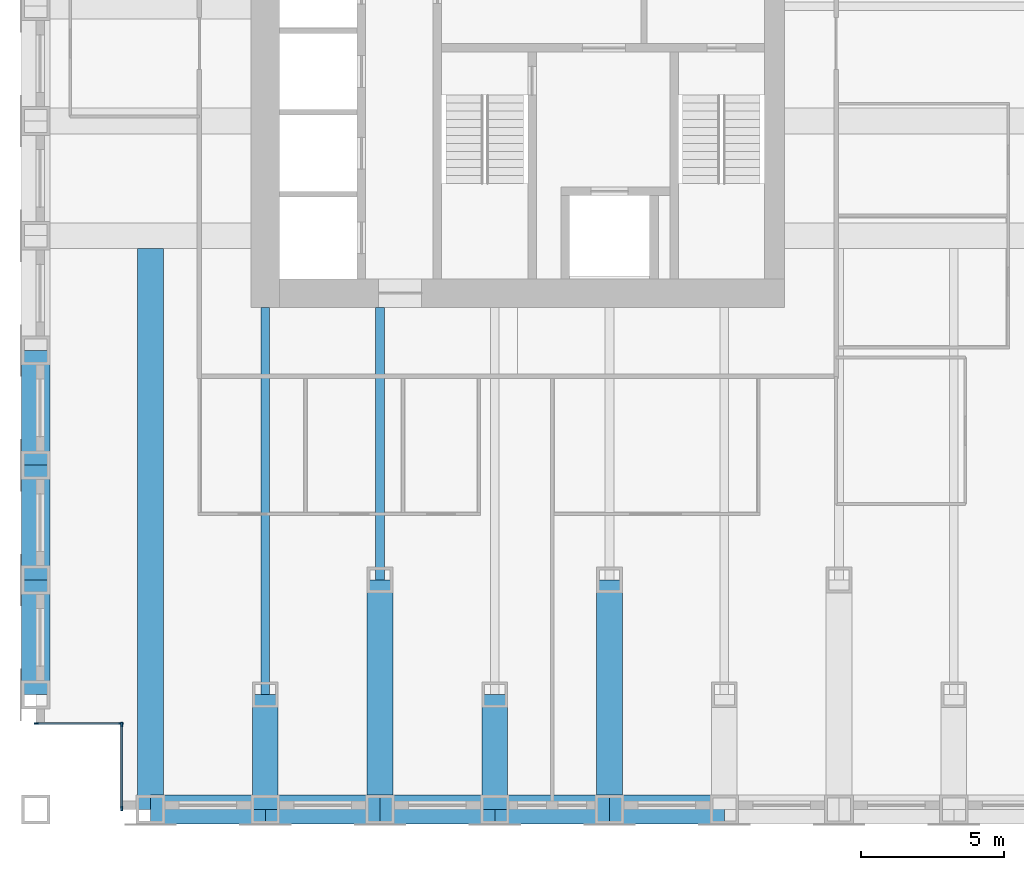
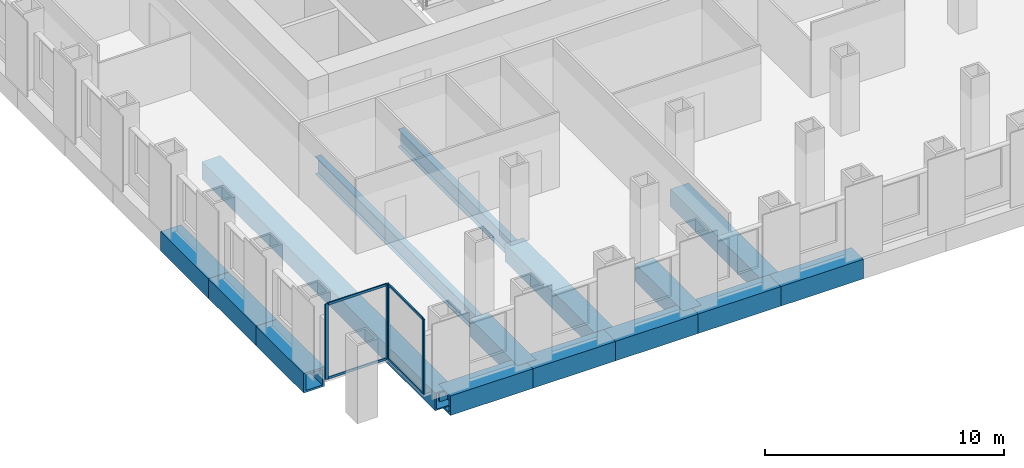
# One storey, part 2 of 16: 15 beams, 8 members, 2 elements without a shape of their own.
"""IFC4 building model written with IfcOpenShell, lengths in metres."""

from ifc_helpers import new_model, si_unit, direction, frame, origin, origin_2d, place, context, subcontext, project, spatial, rectangle, hollow_rectangle, i_section, extrude, material, material_profile, profile_set, type_object, element, aggregate, save


model = new_model("IFC4")

# Units and contexts
model_context = context("Model", 3, precision=1e-05, world=origin(), true_north=direction((0.0, 1.0)))
body_context = subcontext(model_context, "Body", "Model", "MODEL_VIEW")
ifc_project = project(units=[si_unit("LENGTHUNIT", "METRE"), si_unit("AREAUNIT", "SQUARE_METRE"), si_unit("VOLUMEUNIT", "CUBIC_METRE"), si_unit("PLANEANGLEUNIT", "RADIAN"), si_unit("MASSUNIT", "GRAM", prefix="KILO")], contexts=[model_context])

# Site, building, storey
site_placement = place(None, origin())
site = spatial("IfcSite", under=ifc_project, at=site_placement, CompositionType="ELEMENT")
building_placement = place(site_placement, origin())
building = spatial("IfcBuilding", under=site, at=building_placement, Name="Rimbunsela Tower", CompositionType="ELEMENT")
storey_placement = place(building_placement, frame((0.0, 0.0, 81.39990234375)))
storey = spatial("IfcBuildingStorey", under=building, at=storey_placement, Name="L19", CompositionType="ELEMENT", Elevation=81.39990234375)

# Beams
ifc_material_1 = material(Name="Steel BJ 55 (fy 410 MPa)", Category="steel")
ifc_material_profile_1 = material_profile(ifc_material_1, hollow_rectangle(XDim=1.0, YDim=1.0, WallThickness=0.10009765625, at=origin_2d()), Name="BOX 1000x1000x100")
ifc_profile_set_1 = profile_set([ifc_material_profile_1], Name="Steel BJ 55 (fy 410 MPa)")
beam_type_1 = type_object("IfcBeamType", Name="Beam BOX 1000x1000x100", PredefinedType="BEAM", material=ifc_profile_set_1)
for number, where, z_axis, x_axis, name in (
    (1, (10.0, 4.0, -0.64990234375), (0.0, 1.0, 0.0), (-1.0, 0.0, 0.0), "Beam B3 L19"),
    (2, (10.0, 8.0, -0.64990234375), (0.0, 1.0, 0.0), (-1.0, 0.0, 0.0), "Beam B3 L19"),
    (3, (10.0, 12.0, -0.64990234375), (0.0, 1.0, 0.0), (-1.0, 0.0, 0.0), "Beam B3 L19"),
    (4, (14.0, 0.0, -0.64990234375), (1.0, 0.0, 0.0), (0.0, 1.0, 0.0), "Beam B3 L19"),
    (5, (18.0, 0.0, -0.64990234375), (1.0, 0.0, 0.0), (0.0, 1.0, 0.0), "Beam B3 L19"),
    (6, (22.0, 0.0, -0.64990234375), (1.0, 0.0, 0.0), (0.0, 1.0, 0.0), "Beam B3 L19"),
    (7, (26.0, 0.0, -0.64990234375), (1.0, 0.0, 0.0), (0.0, 1.0, 0.0), "Beam B3 L19"),
    (8, (30.0, 0.0, -0.64990234375), (1.0, 0.0, 0.0), (0.0, 1.0, 0.0), "Beam B3 L19"),
):
    element("IfcBeam", number, at=place(storey_placement, frame(where, z_axis=z_axis, x_axis=x_axis)), inside=storey, type_object=beam_type_1, Name=name, PredefinedType="BEAM", context=body_context, shape_type="SweptSolid", body=[
        extrude(hollow_rectangle(XDim=1.0, YDim=1.0, WallThickness=0.10009765625, at=origin_2d()), origin(), (0.0, 0.0, 1.0), 4.0),
    ])
ifc_material_2 = material(Name="Steel BJ 55 (fy 410 MPa)", Category="steel")
ifc_material_profile_2 = material_profile(ifc_material_2, hollow_rectangle(XDim=0.89990234375, YDim=0.89990234375, WallThickness=0.06005859375, at=origin_2d()), Name="BOX 900x900x60")
ifc_profile_set_2 = profile_set([ifc_material_profile_2], Name="Steel BJ 55 (fy 410 MPa)")
beam_type_2 = type_object("IfcBeamType", Name="Beam BOX 900x900x60", PredefinedType="BEAM", material=ifc_profile_set_2)
beam_1_placement = place(storey_placement, frame((14.0, 0.0, -0.599853515625), z_axis=(0.0, 1.0, 0.0), x_axis=(-1.0, 0.0, 0.0)))
element("IfcBeam", 9, at=beam_1_placement, inside=storey, type_object=beam_type_2, Name="Beam B1 L19", PredefinedType="BEAM", context=body_context, shape_type="SweptSolid", body=[
    extrude(hollow_rectangle(XDim=0.89990234375, YDim=0.89990234375, WallThickness=0.06005859375, at=origin_2d()), origin(), (0.0, 0.0, 1.0), 19.550048828125),
])
beam_2_placement = place(storey_placement, frame((18.0, 0.0, -0.599853515625), z_axis=(0.0, 1.0, 0.0), x_axis=(-1.0, 0.0, 0.0)))
element("IfcBeam", 10, at=beam_2_placement, inside=storey, type_object=beam_type_2, Name="Beam B1 L19", PredefinedType="BEAM", context=body_context, shape_type="SweptSolid", body=[
    extrude(hollow_rectangle(XDim=0.89990234375, YDim=0.89990234375, WallThickness=0.06005859375, at=origin_2d()), origin(), (0.0, 0.0, 1.0), 4.0),
])
beam_3_placement = place(storey_placement, frame((22.0, 0.0, -0.599853515625), z_axis=(0.0, 1.0, 0.0), x_axis=(-1.0, 0.0, 0.0)))
element("IfcBeam", 11, at=beam_3_placement, inside=storey, type_object=beam_type_2, Name="Beam B1 L19", PredefinedType="BEAM", context=body_context, shape_type="SweptSolid", body=[
    extrude(hollow_rectangle(XDim=0.89990234375, YDim=0.89990234375, WallThickness=0.06005859375, at=origin_2d()), origin(), (0.0, 0.0, 1.0), 8.0),
])
beam_4_placement = place(storey_placement, frame((26.0, 0.0, -0.599853515625), z_axis=(0.0, 1.0, 0.0), x_axis=(-1.0, 0.0, 0.0)))
element("IfcBeam", 12, at=beam_4_placement, inside=storey, type_object=beam_type_2, Name="Beam B1 L19", PredefinedType="BEAM", context=body_context, shape_type="SweptSolid", body=[
    extrude(hollow_rectangle(XDim=0.89990234375, YDim=0.89990234375, WallThickness=0.06005859375, at=origin_2d()), origin(), (0.0, 0.0, 1.0), 4.0),
])
beam_5_placement = place(storey_placement, frame((30.0, 0.0, -0.599853515625), z_axis=(0.0, 1.0, 0.0), x_axis=(-1.0, 0.0, 0.0)))
element("IfcBeam", 13, at=beam_5_placement, inside=storey, type_object=beam_type_2, Name="Beam B1 L19", PredefinedType="BEAM", context=body_context, shape_type="SweptSolid", body=[
    extrude(hollow_rectangle(XDim=0.89990234375, YDim=0.89990234375, WallThickness=0.06005859375, at=origin_2d()), origin(), (0.0, 0.0, 1.0), 8.0),
])
ifc_material_3 = material(Name="Steel BJ 55 (fy 410 MPa)", Category="steel")
ifc_material_profile_3 = material_profile(ifc_material_3, i_section(OverallWidth=0.300048828125, OverallDepth=0.89990234375, WebThickness=0.01611328125, FlangeThickness=0.028076171875, FilletRadius=0.028076171875, at=origin_2d()), Name="H 900x300x16x28")
ifc_profile_set_3 = profile_set([ifc_material_profile_3], Name="Steel BJ 55 (fy 410 MPa)")
beam_type_3 = type_object("IfcBeamType", Name="Beam H 900x300x16x28", PredefinedType="BEAM", material=ifc_profile_set_3)
beam_6_placement = place(storey_placement, frame((18.0, 4.0, -0.599853515625), z_axis=(0.0, 1.0, 0.0), x_axis=(-1.0, 0.0, 0.0)))
element("IfcBeam", 14, at=beam_6_placement, inside=storey, type_object=beam_type_3, Name="Beam B2 L19", PredefinedType="BEAM", context=body_context, shape_type="SweptSolid", body=[
    extrude(i_section(OverallWidth=0.300048828125, OverallDepth=0.89990234375, WebThickness=0.01611328125, FlangeThickness=0.028076171875, FilletRadius=0.028076171875, at=origin_2d()), origin(), (0.0, 0.0, 1.0), 13.5),
])
beam_7_placement = place(storey_placement, frame((22.0, 8.0, -0.599853515625), z_axis=(0.0, 1.0, 0.0), x_axis=(-1.0, 0.0, 0.0)))
element("IfcBeam", 15, at=beam_7_placement, inside=storey, type_object=beam_type_3, Name="Beam B2 L19", PredefinedType="BEAM", context=body_context, shape_type="SweptSolid", body=[
    extrude(i_section(OverallWidth=0.300048828125, OverallDepth=0.89990234375, WebThickness=0.01611328125, FlangeThickness=0.028076171875, FilletRadius=0.028076171875, at=origin_2d()), origin(), (0.0, 0.0, 1.0), 9.5),
])

# Curtain wall, members
ifc_material_4 = material(Name="Aluminium curtain wall", Category="aluminium")
curtain_wall_type = type_object("IfcCurtainWallType", Name="Corner glazing", PredefinedType="USERDEFINED", material=ifc_material_4)
curtain_wall_1_placement = place(storey_placement, origin())
curtain_wall_1 = element("IfcCurtainWall", 16, at=curtain_wall_1_placement, inside=storey, type_object=curtain_wall_type, Name="Corner glazing L19", ObjectType="CORNER GLAZING", PredefinedType="USERDEFINED")
ifc_material_5 = material(Name="Aluminium mullion", Category="aluminium")
ifc_material_profile_4 = material_profile(ifc_material_5, rectangle(XDim=0.06005859375, YDim=0.159912109375, at=origin_2d()), Name="Mullion 60x160")
ifc_profile_set_4 = profile_set([ifc_material_profile_4], Name="Aluminium mullion")
member_type_1 = type_object("IfcMemberType", Name="Curtain wall mullion 60x160", PredefinedType="MULLION", material=ifc_profile_set_4)
member_1_placement = place(storey_placement, frame((10.030029296875, 3.0, 0.0), z_axis=(0.0, 0.0, 1.0), x_axis=(0.0, 1.0, 0.0)))
member_1 = element("IfcMember", 17, at=member_1_placement, type_object=member_type_1, Name="CW5 mullion 1", PredefinedType="MULLION", context=body_context, shape_type="SweptSolid", body=[
    extrude(rectangle(XDim=0.06005859375, YDim=0.159912109375, at=origin_2d()), origin(), (0.0, 0.0, 1.0), 3.85009765625),
])
member_2_placement = place(storey_placement, frame((12.969970703125, 3.0, 0.0), z_axis=(0.0, 0.0, 1.0), x_axis=(0.0, 1.0, 0.0)))
member_2 = element("IfcMember", 18, at=member_2_placement, type_object=member_type_1, Name="CW5 mullion 2", PredefinedType="MULLION", context=body_context, shape_type="SweptSolid", body=[
    extrude(rectangle(XDim=0.06005859375, YDim=0.159912109375, at=origin_2d()), origin(), (0.0, 0.0, 1.0), 3.85009765625),
])

curtain_wall_2_placement = place(storey_placement, origin())
curtain_wall_2 = element("IfcCurtainWall", 19, at=curtain_wall_2_placement, inside=storey, type_object=curtain_wall_type, Name="Corner glazing L19", ObjectType="CORNER GLAZING", PredefinedType="USERDEFINED")
member_3_placement = place(storey_placement, frame((13.0, 2.969970703125, 0.0), z_axis=(0.0, 0.0, 1.0), x_axis=(1.0, 0.0, 0.0)))
member_3 = element("IfcMember", 20, at=member_3_placement, type_object=member_type_1, Name="CW5 mullion 1", PredefinedType="MULLION", context=body_context, shape_type="SweptSolid", body=[
    extrude(rectangle(XDim=0.06005859375, YDim=0.159912109375, at=origin_2d()), origin(), (0.0, 0.0, 1.0), 3.85009765625),
])
member_4_placement = place(storey_placement, frame((13.0, 0.030029296875, 0.0), z_axis=(0.0, 0.0, 1.0), x_axis=(1.0, 0.0, 0.0)))
member_4 = element("IfcMember", 21, at=member_4_placement, type_object=member_type_1, Name="CW5 mullion 2", PredefinedType="MULLION", context=body_context, shape_type="SweptSolid", body=[
    extrude(rectangle(XDim=0.06005859375, YDim=0.159912109375, at=origin_2d()), origin(), (0.0, 0.0, 1.0), 3.85009765625),
])

# Member
ifc_material_6 = material(Name="Aluminium transom", Category="aluminium")
ifc_material_profile_5 = material_profile(ifc_material_6, rectangle(XDim=0.06005859375, YDim=0.1201171875, at=origin_2d()), Name="Transom 60x120")
ifc_profile_set_5 = profile_set([ifc_material_profile_5], Name="Aluminium transom")
member_type_2 = type_object("IfcMemberType", Name="Curtain wall transom 60x120", PredefinedType="USERDEFINED", material=ifc_profile_set_5)
member_5_placement = place(storey_placement, frame((10.06005859375, 3.0, 0.030029296875), z_axis=(1.0, 0.0, 0.0), x_axis=(0.0, 1.0, 0.0)))
member_5 = element("IfcMember", 22, at=member_5_placement, type_object=member_type_2, Name="CW5 transom 1.1", ObjectType="TRANSOM", PredefinedType="USERDEFINED", context=body_context, shape_type="SweptSolid", body=[
    extrude(rectangle(XDim=0.06005859375, YDim=0.1201171875, at=origin_2d()), origin(), (0.0, 0.0, 1.0), 2.8798828125),
])

member_6_placement = place(storey_placement, frame((10.06005859375, 3.0, 3.820068359375), z_axis=(1.0, 0.0, 0.0), x_axis=(0.0, 1.0, 0.0)))
member_6 = element("IfcMember", 23, at=member_6_placement, type_object=member_type_2, Name="CW5 transom 1.2", ObjectType="TRANSOM", PredefinedType="USERDEFINED", context=body_context, shape_type="SweptSolid", body=[
    extrude(rectangle(XDim=0.06005859375, YDim=0.1201171875, at=origin_2d()), origin(), (0.0, 0.0, 1.0), 2.8798828125),
])

aggregate(curtain_wall_1, [member_1, member_2, member_5, member_6])

member_7_placement = place(storey_placement, frame((13.0, 2.93994140625, 0.030029296875), z_axis=(0.0, -1.0, 0.0), x_axis=(1.0, 0.0, 0.0)))
member_7 = element("IfcMember", 24, at=member_7_placement, type_object=member_type_2, Name="CW5 transom 1.1", ObjectType="TRANSOM", PredefinedType="USERDEFINED", context=body_context, shape_type="SweptSolid", body=[
    extrude(rectangle(XDim=0.06005859375, YDim=0.1201171875, at=origin_2d()), origin(), (0.0, 0.0, 1.0), 2.8798828125),
])

member_8_placement = place(storey_placement, frame((13.0, 2.93994140625, 3.820068359375), z_axis=(0.0, -1.0, 0.0), x_axis=(1.0, 0.0, 0.0)))
member_8 = element("IfcMember", 25, at=member_8_placement, type_object=member_type_2, Name="CW5 transom 1.2", ObjectType="TRANSOM", PredefinedType="USERDEFINED", context=body_context, shape_type="SweptSolid", body=[
    extrude(rectangle(XDim=0.06005859375, YDim=0.1201171875, at=origin_2d()), origin(), (0.0, 0.0, 1.0), 2.8798828125),
])

aggregate(curtain_wall_2, [member_3, member_4, member_7, member_8])

save(model, "model.ifc")
